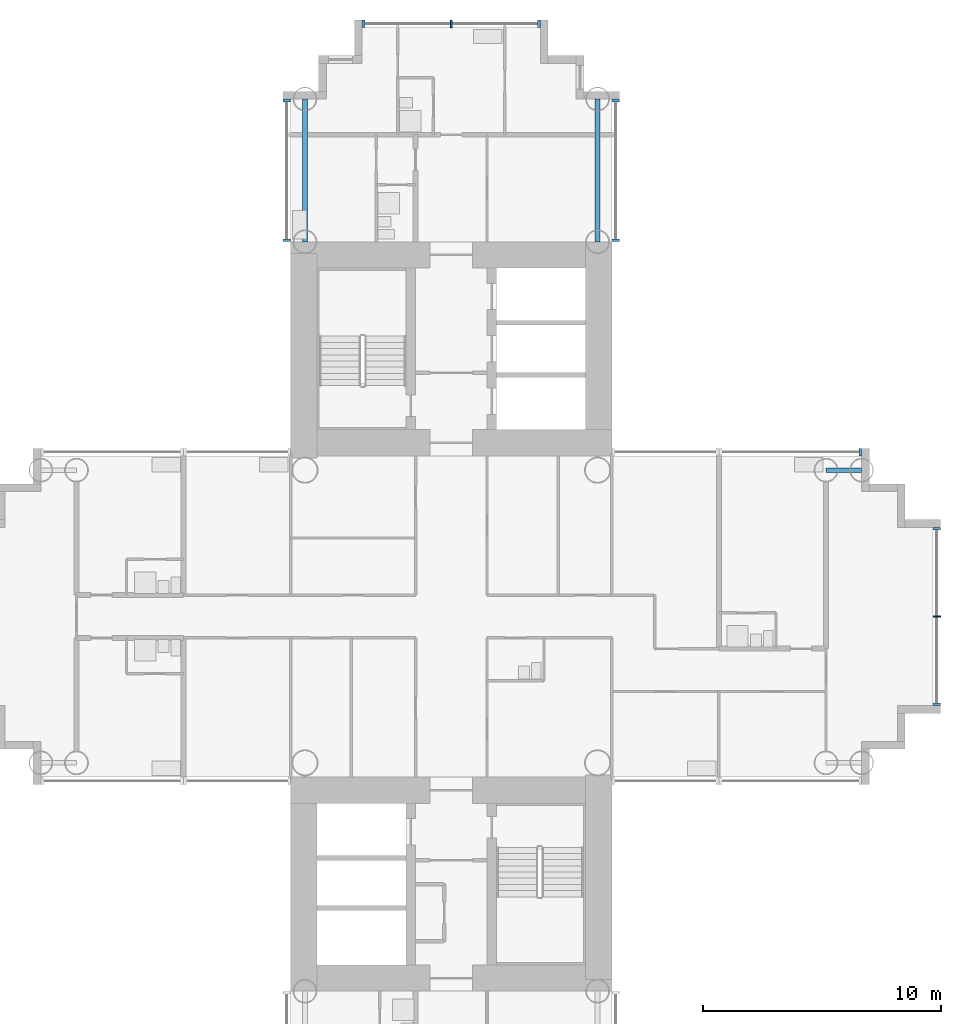
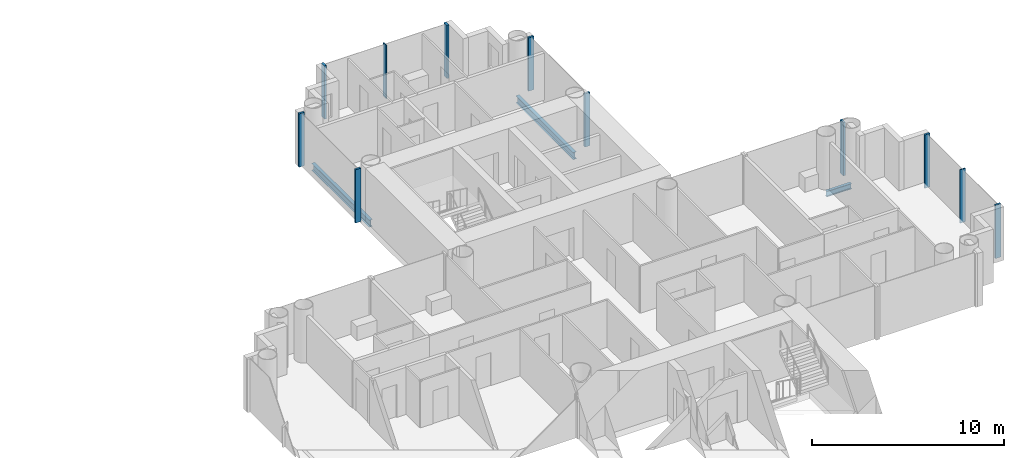
# One storey, part 6 of 21: 11 members, 3 beams, 5 elements without a shape of their own.
"""IFC4 building model written with IfcOpenShell, lengths in metres."""

import ifcopenshell
import ifcopenshell.guid

model = None  # the IFC model being written
_history = None  # IfcOwnerHistory: only IFC2X3 demands one
_inside = {}  # id of a spatial element -> (the spatial element, [elements in it])
_under = {}  # id of a project, library or spatial element -> (it, [spatial elements below it])
_declared = {}  # id of a project -> (the project, [libraries it declares])
_typed = {}  # id of a type object -> (the type object, [elements of that type])
_made_of = {}  # id of a material, layer set ... -> (it, [elements and type objects made of it])


def new_model(schema):
    """Start an empty IFC model of exactly this schema.

    Asked for "IFC4X3", IfcOpenShell would pick the latest addendum, in which some entities
    have other attributes; the version numbers below select the first issue.
    IFC2X3 requires an IfcOwnerHistory on every rooted entity: one is made here for all.
    """
    global model, _history
    if schema == "IFC4X3":
        model = ifcopenshell.file(schema_version=(4, 3, 0, 0))
    else:
        model = ifcopenshell.file(schema=schema)
    _inside.clear()
    _under.clear()
    _declared.clear()
    _typed.clear()
    _made_of.clear()
    _history = None
    if model.schema == "IFC2X3":
        org = make("IfcOrganization", Name="unknown")
        user = make(
            "IfcPersonAndOrganization",
            ThePerson=make("IfcPerson", FamilyName="unknown"),
            TheOrganization=org,
        )
        app = make(
            "IfcApplication",
            ApplicationDeveloper=org,
            Version="unknown",
            ApplicationFullName="unknown",
            ApplicationIdentifier="unknown",
        )
        _history = make(
            "IfcOwnerHistory",
            OwningUser=user,
            OwningApplication=app,
            ChangeAction="ADDED",
            CreationDate=0,
        )
    return model


def make(cls, **values):
    """One entity of the class cls with the attributes given. An attribute that is None is left unset."""
    return model.create_entity(
        cls, **{name: value for name, value in values.items() if value is not None}
    )


def rooted(cls, **values):
    """An entity with a GlobalId (a new one), such as an element, a storey or a relation."""
    return make(cls, GlobalId=ifcopenshell.guid.new(), OwnerHistory=_history, **values)


def si_unit(unit_type, name, prefix=None):
    """IfcSIUnit, for example si_unit("LENGTHUNIT", "METRE", prefix="MILLI")."""
    return make("IfcSIUnit", UnitType=unit_type, Prefix=prefix, Name=name)


def assignment(units):
    """IfcUnitAssignment: the units of a project."""
    return None if units is None else make("IfcUnitAssignment", Units=units)


def point(xyz):
    """IfcCartesianPoint."""
    return None if xyz is None else make("IfcCartesianPoint", Coordinates=xyz)


def direction(xyz):
    """IfcDirection."""
    return None if xyz is None else make("IfcDirection", DirectionRatios=xyz)


def frame(location, z_axis=None, x_axis=None):
    """IfcAxis2Placement3D, a coordinate frame: its origin and axes. An axis left out is left unset."""
    return make(
        "IfcAxis2Placement3D",
        Location=point(location),
        Axis=direction(z_axis),
        RefDirection=direction(x_axis),
    )


def frame_2d(location, x_axis=None):
    """IfcAxis2Placement2D, a coordinate frame in the plane: its origin and x axis."""
    return make(
        "IfcAxis2Placement2D", Location=point(location), RefDirection=direction(x_axis)
    )


def origin():
    """The frame at (0, 0, 0) with its axes left unset."""
    return frame((0.0, 0.0, 0.0))


def origin_2d():
    """The frame at (0, 0) in the plane with its x axis left unset."""
    return frame_2d((0.0, 0.0))


def place(relative_to, where):
    """IfcLocalPlacement: puts the frame where relative to a parent placement (None: the world)."""
    return make(
        "IfcLocalPlacement", PlacementRelTo=relative_to, RelativePlacement=where
    )


def context(
    kind, dimensions, precision=None, world=None, true_north=None, identifier=None
):
    """IfcGeometricRepresentationContext, for example the 3D "Model" context."""
    return make(
        "IfcGeometricRepresentationContext",
        ContextIdentifier=identifier,
        ContextType=kind,
        CoordinateSpaceDimension=dimensions,
        Precision=precision,
        WorldCoordinateSystem=world,
        TrueNorth=true_north,
    )


def subcontext(parent, identifier, kind, view, scale=None):
    """IfcGeometricRepresentationSubContext, for example "Body" below "Model"."""
    return make(
        "IfcGeometricRepresentationSubContext",
        ContextIdentifier=identifier,
        ContextType=kind,
        ParentContext=parent,
        TargetScale=scale,
        TargetView=view,
    )


def project(units=None, contexts=None):
    """IfcProject with its units and contexts."""
    return rooted(
        "IfcProject",
        Name="project",
        RepresentationContexts=contexts,
        UnitsInContext=assignment(units),
    )


def spatial(cls, under=None, at=None, **own):
    """A site, building, storey or space (cls), placed at a placement, below another one or the project."""
    s = rooted(cls, ObjectPlacement=at, **own)
    if under is not None:
        _under.setdefault(under.id(), (under, []))[1].append(s)
    return s


def profile(cls, at=None, kind="AREA", **sizes):
    """A parametric profile (cls). Its sizes go by their IFC names, for example OverallWidth=200.0."""
    return make(cls, ProfileType=kind, Position=at, **sizes)


def rectangle(**sizes):
    """IfcRectangleProfileDef."""
    return profile("IfcRectangleProfileDef", **sizes)


def i_section(**sizes):
    """IfcIShapeProfileDef."""
    return profile("IfcIShapeProfileDef", **sizes)


def extrude(swept, where, along, depth):
    """IfcExtrudedAreaSolid: the profile swept, set in the frame where, extruded along a direction by depth."""
    return make(
        "IfcExtrudedAreaSolid",
        SweptArea=swept,
        Position=where,
        ExtrudedDirection=direction(along),
        Depth=depth,
    )


def shape(context_of_items, identifier, shape_type, items):
    """IfcShapeRepresentation: the items that make up one representation, for example the "Body"."""
    return make(
        "IfcShapeRepresentation",
        ContextOfItems=context_of_items,
        RepresentationIdentifier=identifier,
        RepresentationType=shape_type,
        Items=items,
    )


def material(Name=None, Category=None):
    """IfcMaterial."""
    return make("IfcMaterial", Name=Name, Category=Category)


def layer(
    of_material, thickness, ventilated=None, Name=None, Category=None, Priority=None
):
    """IfcMaterialLayer: one layer of a wall or slab, of a material (None: an air gap)."""
    return make(
        "IfcMaterialLayer",
        Material=of_material,
        LayerThickness=thickness,
        IsVentilated=ventilated,
        Name=Name,
        Category=Category,
        Priority=Priority,
    )


def layer_set(layers, Name=None):
    """IfcMaterialLayerSet."""
    return make("IfcMaterialLayerSet", MaterialLayers=layers, LayerSetName=Name)


def material_profile(
    of_material, cross_section, Name=None, Category=None, Priority=None
):
    """IfcMaterialProfile: a cross section and its material."""
    return make(
        "IfcMaterialProfile",
        Name=Name,
        Material=of_material,
        Profile=cross_section,
        Priority=Priority,
        Category=Category,
    )


def profile_set(profiles, Name=None, composite=None):
    """IfcMaterialProfileSet."""
    return make(
        "IfcMaterialProfileSet",
        Name=Name,
        MaterialProfiles=profiles,
        CompositeProfile=composite,
    )


def made_of(thing, what):
    """Note that an element or type object is made of a material, layer set ...; save() writes the relation."""
    if what is not None:
        _made_of.setdefault(what.id(), (what, []))[1].append(thing)
    return thing


def type_object(cls, material=None, **own):
    """A type object (cls), such as IfcWallType, which elements share."""
    return made_of(rooted(cls, **own), material)


def element(
    cls,
    number,
    at=None,
    inside=None,
    cuts=None,
    type_object=None,
    material=None,
    context=None,
    identifier="Body",
    shape_type=None,
    held_by="IfcProductDefinitionShape",
    body=None,
    shapes=None,
    **own,
):
    """One element of the class cls, such as IfcWall. Its Tag is "e" and its number.

    at: its placement. inside: the storey or other place that contains it. cuts: it is an
    opening in that element (IfcRelVoidsElement). A single representation is given by context,
    identifier, shape_type and body (its items); several are given by shapes. held_by: the class
    of the entity that holds the representations. save() writes the other relations.
    """
    e = rooted(cls, Tag="e%d" % number, ObjectPlacement=at, **own)
    if body is not None:
        shapes = [shape(context, identifier, shape_type, body)]
    if shapes is not None:
        e.Representation = make(held_by, Representations=shapes)
    if inside is not None:
        _inside.setdefault(inside.id(), (inside, []))[1].append(e)
    if cuts is not None:
        rooted(
            "IfcRelVoidsElement", RelatingBuildingElement=cuts, RelatedOpeningElement=e
        )
    if type_object is not None:
        _typed.setdefault(type_object.id(), (type_object, []))[1].append(e)
    return made_of(e, material)


def aggregate(whole, parts):
    """IfcRelAggregates: a whole, such as a stair, and the parts it consists of."""
    return rooted("IfcRelAggregates", RelatingObject=whole, RelatedObjects=parts)


def save(model, path):
    """Write the relations noted so far, then the file.

    IfcRelAggregates (storeys below a building ...), IfcRelContainedInSpatialStructure (elements
    in a storey), IfcRelDefinesByType, IfcRelAssociatesMaterial and IfcRelDeclares: one each for
    every whole, place, type object, material and project.
    """
    for whole, parts in _under.values():
        aggregate(whole, parts)
    for where, things in _inside.values():
        rooted(
            "IfcRelContainedInSpatialStructure",
            RelatedElements=things,
            RelatingStructure=where,
        )
    for kind, things in _typed.values():
        rooted("IfcRelDefinesByType", RelatedObjects=things, RelatingType=kind)
    for what, things in _made_of.values():
        rooted("IfcRelAssociatesMaterial", RelatedObjects=things, RelatingMaterial=what)
    for by, libraries in _declared.values():
        rooted("IfcRelDeclares", RelatingContext=by, RelatedDefinitions=libraries)
    model.write(path)


model = new_model("IFC4")

# Units and contexts
model_context = context("Model", 3, precision=1e-05, world=origin(), true_north=direction((0.0, 1.0)))
body_context = subcontext(model_context, "Body", "Model", "MODEL_VIEW")
ifc_project = project(units=[si_unit("LENGTHUNIT", "METRE"), si_unit("AREAUNIT", "SQUARE_METRE"), si_unit("VOLUMEUNIT", "CUBIC_METRE"), si_unit("PLANEANGLEUNIT", "RADIAN"), si_unit("MASSUNIT", "GRAM", prefix="KILO")], contexts=[model_context])

# Site, building, storey
site_placement = place(None, origin())
site = spatial("IfcSite", under=ifc_project, at=site_placement, CompositionType="ELEMENT")
building_placement = place(site_placement, origin())
building = spatial("IfcBuilding", under=site, at=building_placement, Name="Ipe Terrace Towers", CompositionType="ELEMENT")
storey_placement = place(building_placement, frame((0.0, 0.0, 41.5)))
storey = spatial("IfcBuildingStorey", under=building, at=storey_placement, Name="L10", CompositionType="ELEMENT", Elevation=41.5)

# Beams
ifc_material_1 = material(Name="Steel S355", Category="steel")
ifc_material_profile_1 = material_profile(ifc_material_1, i_section(OverallWidth=0.175048828125, OverallDepth=0.35009765625, WebThickness=0.007080078125, FlangeThickness=0.010986328125, at=origin_2d()), Name="H-350x175x7x11")
ifc_profile_set_1 = profile_set([ifc_material_profile_1], Name="Steel S355")
beam_type_1 = type_object("IfcBeamType", Name="H04 EDGE BEAM H-350x175x7x11", PredefinedType="BEAM", material=ifc_profile_set_1)
beam_placement = place(storey_placement, frame((51.75, 6.14990234375, -0.574951171875), z_axis=(1.0, 0.0, 0.0), x_axis=(0.0, 1.0, 0.0)))
element("IfcBeam", 1, at=beam_placement, inside=storey, type_object=beam_type_1, Name="Edge beam T2-EB-D04-D06", PredefinedType="BEAM", context=body_context, shape_type="SweptSolid", body=[
    extrude(i_section(OverallWidth=0.175048828125, OverallDepth=0.35009765625, WebThickness=0.007080078125, FlangeThickness=0.010986328125, at=origin_2d()), origin(), (0.0, 0.0, 1.0), 1.5),
])
ifc_material_2 = material(Name="Steel S355", Category="steel")
ifc_material_profile_2 = material_profile(ifc_material_2, i_section(OverallWidth=0.199951171875, OverallDepth=0.449951171875, WebThickness=0.009033203125, FlangeThickness=0.013916015625, at=origin_2d()), Name="H-450x200x9x14")
ifc_profile_set_2 = profile_set([ifc_material_profile_2], Name="Steel S355")
beam_type_2 = type_object("IfcBeamType", Name="H08 EDGE BEAM H-450x200x9x14", PredefinedType="BEAM", material=ifc_profile_set_2)
for number, where, z_axis, x_axis, name in (
    (2, (42.14990234375, 15.75, -0.625), (0.0, 1.0, 0.0), (-1.0, 0.0, 0.0), "Edge beam T2-EB-A01-A03"),
    (3, (29.85009765625, 15.75, -0.625), (0.0, 1.0, 0.0), (-1.0, 0.0, 0.0), "Edge beam T2-EB-A02-A04"),
):
    element("IfcBeam", number, at=place(storey_placement, frame(where, z_axis=z_axis, x_axis=x_axis)), inside=storey, type_object=beam_type_2, Name=name, PredefinedType="BEAM", context=body_context, shape_type="SweptSolid", body=[
        extrude(i_section(OverallWidth=0.199951171875, OverallDepth=0.449951171875, WebThickness=0.009033203125, FlangeThickness=0.013916015625, at=origin_2d()), origin(), (0.0, 0.0, 1.0), 6.0),
    ])

# Curtain wall, members
ifc_material_3 = material(Name="Aluminium alloy 6063-T6", Category="aluminium")
ifc_layer = layer(ifc_material_3, 0.320068359375)
ifc_layer_set = layer_set([ifc_layer], Name="TOWER UNITISED CURTAIN WALL")
curtain_wall_type = type_object("IfcCurtainWallType", Name="TOWER UNITISED CURTAIN WALL", PredefinedType="NOTDEFINED", material=ifc_layer_set)
curtain_wall_1_placement = place(storey_placement, origin())
curtain_wall_1 = element("IfcCurtainWall", 4, at=curtain_wall_1_placement, inside=storey, type_object=curtain_wall_type, Name="T2-CW-L10-12a curtain wall", PredefinedType="NOTDEFINED")
ifc_material_4 = material(Name="Aluminium alloy 6063-T6", Category="aluminium")
ifc_material_profile_3 = material_profile(ifc_material_4, rectangle(XDim=0.320068359375, YDim=0.1201171875, at=origin_2d()), Name="TOWER UNITISED CORNER MULLION 320 x 120")
ifc_profile_set_3 = profile_set([ifc_material_profile_3], Name="Aluminium alloy 6063-T6")
member_type_1 = type_object("IfcMemberType", Name="TOWER UNITISED CORNER MULLION 320 x 120", PredefinedType="MULLION", material=ifc_profile_set_3)
member_1_placement = place(storey_placement, frame((56.409912109375, -3.68994140625, -0.300048828125), z_axis=(0.0, 0.0, 1.0), x_axis=(1.0, 0.0, 0.0)))
member_1 = element("IfcMember", 5, at=member_1_placement, type_object=member_type_1, Name="T2-CW-L10-12a mullion 1", PredefinedType="MULLION", context=body_context, shape_type="SweptSolid", body=[
    extrude(rectangle(XDim=0.320068359375, YDim=0.1201171875, at=origin_2d()), origin(), (0.0, 0.0, 1.0), 3.400146484375),
])
member_2_placement = place(storey_placement, frame((56.409912109375, 3.68994140625, -0.300048828125), z_axis=(0.0, 0.0, 1.0), x_axis=(1.0, 0.0, 0.0)))
member_2 = element("IfcMember", 6, at=member_2_placement, type_object=member_type_1, Name="T2-CW-L10-12a mullion 3", PredefinedType="MULLION", context=body_context, shape_type="SweptSolid", body=[
    extrude(rectangle(XDim=0.320068359375, YDim=0.1201171875, at=origin_2d()), origin(), (0.0, 0.0, 1.0), 3.400146484375),
])

# Curtain wall, member
curtain_wall_2_placement = place(storey_placement, origin())
curtain_wall_2 = element("IfcCurtainWall", 7, at=curtain_wall_2_placement, inside=storey, type_object=curtain_wall_type, Name="T2-CW-L10-17a curtain wall", PredefinedType="NOTDEFINED")
member_3_placement = place(storey_placement, frame((53.18994140625, 6.909912109375, -0.300048828125), z_axis=(0.0, 0.0, 1.0), x_axis=(0.0, 1.0, 0.0)))
member_3 = element("IfcMember", 8, at=member_3_placement, type_object=member_type_1, Name="T2-CW-L10-17a mullion 1", PredefinedType="MULLION", context=body_context, shape_type="SweptSolid", body=[
    extrude(rectangle(XDim=0.320068359375, YDim=0.1201171875, at=origin_2d()), origin(), (0.0, 0.0, 1.0), 3.400146484375),
])
aggregate(curtain_wall_2, [member_3])

# Curtain wall, members
curtain_wall_3_placement = place(storey_placement, origin())
curtain_wall_3 = element("IfcCurtainWall", 9, at=curtain_wall_3_placement, inside=storey, type_object=curtain_wall_type, Name="T2-CW-L10-20b curtain wall", PredefinedType="NOTDEFINED")
member_4_placement = place(storey_placement, frame((42.909912109375, 15.81103515625, -0.300048828125), z_axis=(0.0, 0.0, 1.0), x_axis=(1.0, 0.0, 0.0)))
member_4 = element("IfcMember", 10, at=member_4_placement, type_object=member_type_1, Name="T2-CW-L10-20b mullion 1", PredefinedType="MULLION", context=body_context, shape_type="SweptSolid", body=[
    extrude(rectangle(XDim=0.320068359375, YDim=0.1201171875, at=origin_2d()), origin(), (0.0, 0.0, 1.0), 3.400146484375),
])
member_5_placement = place(storey_placement, frame((42.909912109375, 21.68994140625, -0.300048828125), z_axis=(0.0, 0.0, 1.0), x_axis=(1.0, 0.0, 0.0)))
member_5 = element("IfcMember", 11, at=member_5_placement, type_object=member_type_1, Name="T2-CW-L10-20b mullion 2", PredefinedType="MULLION", context=body_context, shape_type="SweptSolid", body=[
    extrude(rectangle(XDim=0.320068359375, YDim=0.1201171875, at=origin_2d()), origin(), (0.0, 0.0, 1.0), 3.400146484375),
])
aggregate(curtain_wall_3, [member_4, member_5])

curtain_wall_4_placement = place(storey_placement, origin())
curtain_wall_4 = element("IfcCurtainWall", 12, at=curtain_wall_4_placement, inside=storey, type_object=curtain_wall_type, Name="T2-CW-L10-25a curtain wall", PredefinedType="NOTDEFINED")
member_6_placement = place(storey_placement, frame((39.68994140625, 24.909912109375, -0.300048828125), z_axis=(0.0, 0.0, 1.0), x_axis=(0.0, 1.0, 0.0)))
member_6 = element("IfcMember", 13, at=member_6_placement, type_object=member_type_1, Name="T2-CW-L10-25a mullion 1", PredefinedType="MULLION", context=body_context, shape_type="SweptSolid", body=[
    extrude(rectangle(XDim=0.320068359375, YDim=0.1201171875, at=origin_2d()), origin(), (0.0, 0.0, 1.0), 3.400146484375),
])
member_7_placement = place(storey_placement, frame((32.31005859375, 24.909912109375, -0.300048828125), z_axis=(0.0, 0.0, 1.0), x_axis=(0.0, 1.0, 0.0)))
member_7 = element("IfcMember", 14, at=member_7_placement, type_object=member_type_1, Name="T2-CW-L10-25a mullion 3", PredefinedType="MULLION", context=body_context, shape_type="SweptSolid", body=[
    extrude(rectangle(XDim=0.320068359375, YDim=0.1201171875, at=origin_2d()), origin(), (0.0, 0.0, 1.0), 3.400146484375),
])

curtain_wall_5_placement = place(storey_placement, origin())
curtain_wall_5 = element("IfcCurtainWall", 15, at=curtain_wall_5_placement, inside=storey, type_object=curtain_wall_type, Name="T2-CW-L10-30a curtain wall", PredefinedType="NOTDEFINED")
member_8_placement = place(storey_placement, frame((29.090087890625, 21.68994140625, -0.300048828125), z_axis=(0.0, 0.0, 1.0), x_axis=(-1.0, 0.0, 0.0)))
member_8 = element("IfcMember", 16, at=member_8_placement, type_object=member_type_1, Name="T2-CW-L10-30a mullion 1", PredefinedType="MULLION", context=body_context, shape_type="SweptSolid", body=[
    extrude(rectangle(XDim=0.320068359375, YDim=0.1201171875, at=origin_2d()), origin(), (0.0, 0.0, 1.0), 3.400146484375),
])
member_9_placement = place(storey_placement, frame((29.090087890625, 15.81103515625, -0.300048828125), z_axis=(0.0, 0.0, 1.0), x_axis=(-1.0, 0.0, 0.0)))
member_9 = element("IfcMember", 17, at=member_9_placement, type_object=member_type_1, Name="T2-CW-L10-30a mullion 2", PredefinedType="MULLION", context=body_context, shape_type="SweptSolid", body=[
    extrude(rectangle(XDim=0.320068359375, YDim=0.1201171875, at=origin_2d()), origin(), (0.0, 0.0, 1.0), 3.400146484375),
])
aggregate(curtain_wall_5, [member_8, member_9])

# Member
ifc_material_5 = material(Name="Aluminium alloy 6063-T6", Category="aluminium")
ifc_material_profile_4 = material_profile(ifc_material_5, rectangle(XDim=0.320068359375, YDim=0.06494140625, at=origin_2d()), Name="TOWER UNITISED MULLION 320 x 65")
ifc_profile_set_4 = profile_set([ifc_material_profile_4], Name="Aluminium alloy 6063-T6")
member_type_2 = type_object("IfcMemberType", Name="TOWER UNITISED MULLION 320 x 65", PredefinedType="MULLION", material=ifc_profile_set_4)
member_10_placement = place(storey_placement, frame((56.409912109375, 0.0, -0.300048828125), z_axis=(0.0, 0.0, 1.0), x_axis=(1.0, 0.0, 0.0)))
member_10 = element("IfcMember", 18, at=member_10_placement, type_object=member_type_2, Name="T2-CW-L10-12a mullion 2", PredefinedType="MULLION", context=body_context, shape_type="SweptSolid", body=[
    extrude(rectangle(XDim=0.320068359375, YDim=0.06494140625, at=origin_2d()), origin(), (0.0, 0.0, 1.0), 3.400146484375),
])

aggregate(curtain_wall_1, [member_1, member_10, member_2])

member_11_placement = place(storey_placement, frame((36.0, 24.909912109375, -0.300048828125), z_axis=(0.0, 0.0, 1.0), x_axis=(0.0, 1.0, 0.0)))
member_11 = element("IfcMember", 19, at=member_11_placement, type_object=member_type_2, Name="T2-CW-L10-25a mullion 2", PredefinedType="MULLION", context=body_context, shape_type="SweptSolid", body=[
    extrude(rectangle(XDim=0.320068359375, YDim=0.06494140625, at=origin_2d()), origin(), (0.0, 0.0, 1.0), 3.400146484375),
])

aggregate(curtain_wall_4, [member_6, member_11, member_7])

save(model, "model.ifc")
